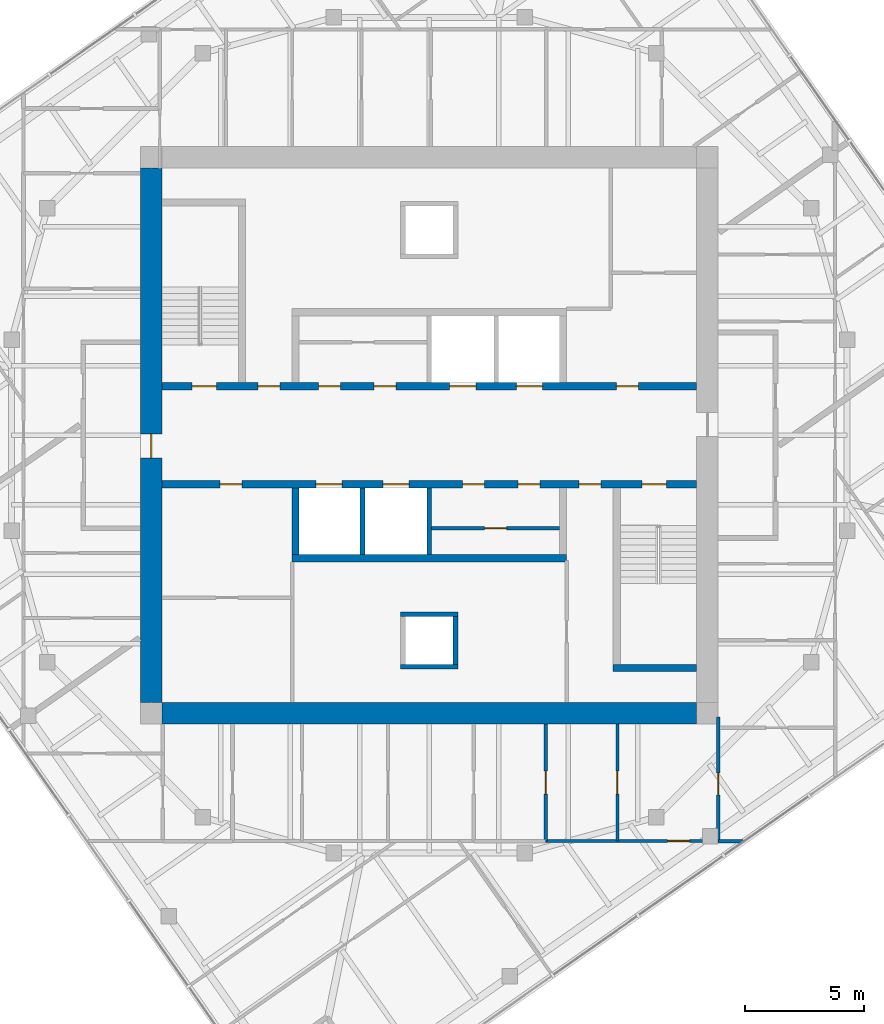
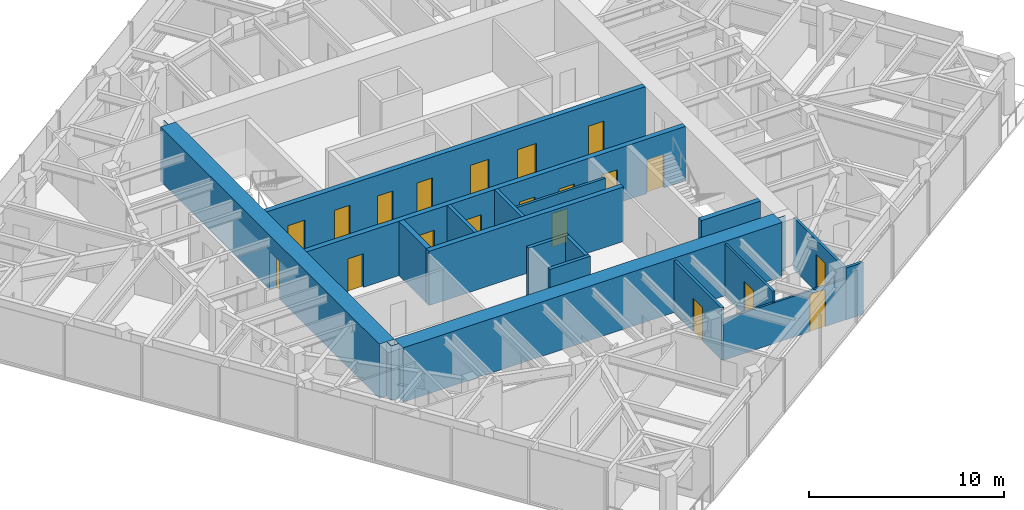
# One storey, part 8 of 12: 20 doors, 18 walls, 20 openings.
"""IFC4 building model written with IfcOpenShell, lengths in metres."""

from ifc_helpers import new_model, si_unit, direction, frame, frame_2d, origin, place, context, subcontext, project, spatial, polyline, rectangle, outline, extrude, material, layer, layer_set, type_object, element, fill, save


model = new_model("IFC4")

# Units and contexts
model_context = context("Model", 3, precision=1e-05, world=origin(), true_north=direction((0.0, 1.0)))
body_context = subcontext(model_context, "Body", "Model", "MODEL_VIEW")
ifc_project = project(units=[si_unit("LENGTHUNIT", "METRE"), si_unit("AREAUNIT", "SQUARE_METRE"), si_unit("VOLUMEUNIT", "CUBIC_METRE"), si_unit("PLANEANGLEUNIT", "RADIAN"), si_unit("MASSUNIT", "GRAM", prefix="KILO")], contexts=[model_context])

# Site, building, storey
site_placement = place(None, origin())
site = spatial("IfcSite", under=ifc_project, at=site_placement, CompositionType="ELEMENT")
building_placement = place(site_placement, origin())
building = spatial("IfcBuilding", under=site, at=building_placement, Name="Torsade Residences", CompositionType="ELEMENT")
storey_placement = place(building_placement, frame((0.0, 0.0, 240.39990234375)))
storey = spatial("IfcBuildingStorey", under=building, at=storey_placement, Name="L66", CompositionType="ELEMENT", Elevation=240.39990234375)

# Wall, openings, doors
ifc_material_1 = material(Name="Concrete 80 MPa", Category="concrete")
ifc_layer_1 = layer(ifc_material_1, 0.300048828125)
ifc_layer_set_1 = layer_set([ifc_layer_1], Name="Concrete 80 MPa")
wall_type_1 = type_object("IfcWallType", Name="CORE INTERNAL WALL 300", PredefinedType="SHEAR", material=ifc_layer_set_1)
wall_1_placement = place(storey_placement, frame((28.800048828125, 32.050048828125, 0.0), z_axis=(0.0, 0.0, 1.0), x_axis=(1.0, 0.0, 0.0)))
wall_1 = element("IfcWall", 1, at=wall_1_placement, inside=storey, type_object=wall_type_1, Name="Core wall LN L66", PredefinedType="SHEAR", context=body_context, shape_type="SweptSolid", body=[
    extrude(rectangle(XDim=22.39990234375, YDim=0.300048828125, at=frame_2d((11.199951171875, 0.0))), origin(), (0.0, 0.0, 1.0), 3.400146484375),
])
opening_1_placement = place(wall_1_placement, frame((19.0400390625, 0.0, 0.0)))
opening_1 = element("IfcOpeningElement", 2, at=opening_1_placement, cuts=wall_1, Name="Opening D06", PredefinedType="OPENING", context=body_context, shape_type="SweptSolid", body=[
    extrude(rectangle(XDim=0.919921875, YDim=2.10009765625, at=frame_2d((0.4599609375, 1.050048828125))), frame((0.0, 0.159912109375, 0.0), z_axis=(0.0, -1.0, 0.0), x_axis=(1.0, 0.0, 0.0)), (0.0, 0.0, 1.0), 0.320068359375),
])
opening_2_placement = place(wall_1_placement, frame((1.264892578125, 0.0, 0.0)))
opening_2 = element("IfcOpeningElement", 3, at=opening_2_placement, cuts=wall_1, Name="Opening D03", PredefinedType="OPENING", context=body_context, shape_type="SweptSolid", body=[
    extrude(rectangle(XDim=1.02001953125, YDim=2.10009765625, at=frame_2d((0.510009765625, 1.050048828125))), frame((0.0, 0.159912109375, 0.0), z_axis=(0.0, -1.0, 0.0), x_axis=(1.0, 0.0, 0.0)), (0.0, 0.0, 1.0), 0.320068359375),
])
opening_3_placement = place(wall_1_placement, frame((4.014892578125, 0.0, 0.0)))
opening_3 = element("IfcOpeningElement", 4, at=opening_3_placement, cuts=wall_1, Name="Opening D06", PredefinedType="OPENING", context=body_context, shape_type="SweptSolid", body=[
    extrude(rectangle(XDim=0.919921875, YDim=2.10009765625, at=frame_2d((0.4599609375, 1.050048828125))), frame((0.0, 0.159912109375, 0.0), z_axis=(0.0, -1.0, 0.0), x_axis=(1.0, 0.0, 0.0)), (0.0, 0.0, 1.0), 0.320068359375),
])
opening_4_placement = place(wall_1_placement, frame((6.56494140625, 0.0, 0.0)))
opening_4 = element("IfcOpeningElement", 5, at=opening_4_placement, cuts=wall_1, Name="Opening D06", PredefinedType="OPENING", context=body_context, shape_type="SweptSolid", body=[
    extrude(rectangle(XDim=0.919921875, YDim=2.10009765625, at=frame_2d((0.4599609375, 1.050048828125))), frame((0.0, 0.159912109375, 0.0), z_axis=(0.0, -1.0, 0.0), x_axis=(1.0, 0.0, 0.0)), (0.0, 0.0, 1.0), 0.320068359375),
])
opening_5_placement = place(wall_1_placement, frame((8.889892578125, 0.0, 0.0)))
opening_5 = element("IfcOpeningElement", 6, at=opening_5_placement, cuts=wall_1, Name="Opening D06", PredefinedType="OPENING", context=body_context, shape_type="SweptSolid", body=[
    extrude(rectangle(XDim=0.919921875, YDim=2.10009765625, at=frame_2d((0.4599609375, 1.050048828125))), frame((0.0, 0.159912109375, 0.0), z_axis=(0.0, -1.0, 0.0), x_axis=(1.0, 0.0, 0.0)), (0.0, 0.0, 1.0), 0.320068359375),
])
opening_6_placement = place(wall_1_placement, frame((12.050048828125, 0.0, 0.0)))
opening_6 = element("IfcOpeningElement", 7, at=opening_6_placement, cuts=wall_1, Name="Opening LD", PredefinedType="OPENING", context=body_context, shape_type="SweptSolid", body=[
    extrude(rectangle(XDim=1.10009765625, YDim=2.10009765625, at=frame_2d((0.550048828125, 1.050048828125))), frame((0.0, 0.159912109375, 0.0), z_axis=(0.0, -1.0, 0.0), x_axis=(1.0, 0.0, 0.0)), (0.0, 0.0, 1.0), 0.320068359375),
])
opening_7_placement = place(wall_1_placement, frame((14.85009765625, 0.0, 0.0)))
opening_7 = element("IfcOpeningElement", 8, at=opening_7_placement, cuts=wall_1, Name="Opening LD", PredefinedType="OPENING", context=body_context, shape_type="SweptSolid", body=[
    extrude(rectangle(XDim=1.10009765625, YDim=2.10009765625, at=frame_2d((0.550048828125, 1.050048828125))), frame((0.0, 0.159912109375, 0.0), z_axis=(0.0, -1.0, 0.0), x_axis=(1.0, 0.0, 0.0)), (0.0, 0.0, 1.0), 0.320068359375),
])
ifc_material_2 = material(Name="Steel-framed fire door", Category="steel")
door_type_1 = type_object("IfcDoorType", Name="FIRE DOOR 1020", OperationType="NOTDEFINED", PredefinedType="DOOR", material=ifc_material_2)
door_1_placement = place(opening_2_placement, origin())
door_1 = element("IfcDoor", 9, at=door_1_placement, inside=storey, type_object=door_type_1, Name="Exit door to fire-isolated stair ST1 L66", OperationType="SINGLE_SWING_RIGHT", OverallHeight=2.10009765625, OverallWidth=1.02001953125, PredefinedType="DOOR", context=body_context, shape_type="SweptSolid", body=[
    extrude(rectangle(XDim=1.02001953125, YDim=2.10009765625, at=frame_2d((0.510009765625, 1.050048828125))), frame((0.0, 0.02490234375, 0.0), z_axis=(0.0, -1.0, 0.0), x_axis=(1.0, 0.0, 0.0)), (0.0, 0.0, 1.0), 0.050048828125),
])
fill(opening_2, door_1)
ifc_material_3 = material(Name="Steel-framed fire door", Category="steel")
door_type_2 = type_object("IfcDoorType", Name="FIRE DOOR 920", OperationType="NOTDEFINED", PredefinedType="DOOR", material=ifc_material_3)
door_2_placement = place(opening_1_placement, origin())
door_2 = element("IfcDoor", 10, at=door_2_placement, inside=storey, type_object=door_type_2, Name="Door Lift lobby to Refuse room", OperationType="SINGLE_SWING_LEFT", OverallHeight=2.10009765625, OverallWidth=0.919921875, PredefinedType="DOOR", context=body_context, shape_type="SweptSolid", body=[
    extrude(rectangle(XDim=0.919921875, YDim=2.10009765625, at=frame_2d((0.4599609375, 1.050048828125))), frame((0.0, 0.02490234375, 0.0), z_axis=(0.0, -1.0, 0.0), x_axis=(1.0, 0.0, 0.0)), (0.0, 0.0, 1.0), 0.050048828125),
])
fill(opening_1, door_2)
door_3_placement = place(opening_3_placement, origin())
door_3 = element("IfcDoor", 11, at=door_3_placement, inside=storey, type_object=door_type_2, Name="Door Lift lobby to Electrical riser room", OperationType="SINGLE_SWING_LEFT", OverallHeight=2.10009765625, OverallWidth=0.919921875, PredefinedType="DOOR", context=body_context, shape_type="SweptSolid", body=[
    extrude(rectangle(XDim=0.919921875, YDim=2.10009765625, at=frame_2d((0.4599609375, 1.050048828125))), frame((0.0, 0.02490234375, 0.0), z_axis=(0.0, -1.0, 0.0), x_axis=(1.0, 0.0, 0.0)), (0.0, 0.0, 1.0), 0.050048828125),
])
fill(opening_3, door_3)
door_4_placement = place(opening_4_placement, origin())
door_4 = element("IfcDoor", 12, at=door_4_placement, inside=storey, type_object=door_type_2, Name="Door Lift lobby to IT equipment room L66A", OperationType="SINGLE_SWING_LEFT", OverallHeight=2.10009765625, OverallWidth=0.919921875, PredefinedType="DOOR", context=body_context, shape_type="SweptSolid", body=[
    extrude(rectangle(XDim=0.919921875, YDim=2.10009765625, at=frame_2d((0.4599609375, 1.050048828125))), frame((0.0, 0.02490234375, 0.0), z_axis=(0.0, -1.0, 0.0), x_axis=(1.0, 0.0, 0.0)), (0.0, 0.0, 1.0), 0.050048828125),
])
fill(opening_4, door_4)
door_5_placement = place(opening_5_placement, origin())
door_5 = element("IfcDoor", 13, at=door_5_placement, inside=storey, type_object=door_type_2, Name="Door Lift lobby to IT equipment room L66A", OperationType="SINGLE_SWING_LEFT", OverallHeight=2.10009765625, OverallWidth=0.919921875, PredefinedType="DOOR", context=body_context, shape_type="SweptSolid", body=[
    extrude(rectangle(XDim=0.919921875, YDim=2.10009765625, at=frame_2d((0.4599609375, 1.050048828125))), frame((0.0, 0.02490234375, 0.0), z_axis=(0.0, -1.0, 0.0), x_axis=(1.0, 0.0, 0.0)), (0.0, 0.0, 1.0), 0.050048828125),
])
fill(opening_5, door_5)
ifc_material_4 = material(Name="Stainless steel lift landing door", Category="steel")
door_type_3 = type_object("IfcDoorType", Name="LIFT LANDING DOOR 1100", OperationType="SLIDING_TO_LEFT", PredefinedType="DOOR", material=ifc_material_4)
door_6_placement = place(opening_6_placement, origin())
door_6 = element("IfcDoor", 14, at=door_6_placement, inside=storey, type_object=door_type_3, Name="Lift LA3 landing door L66", OperationType="SLIDING_TO_LEFT", OverallHeight=2.10009765625, OverallWidth=1.10009765625, PredefinedType="DOOR", context=body_context, shape_type="SweptSolid", body=[
    extrude(rectangle(XDim=1.10009765625, YDim=2.10009765625, at=frame_2d((0.550048828125, 1.050048828125))), frame((0.0, 0.02490234375, 0.0), z_axis=(0.0, -1.0, 0.0), x_axis=(1.0, 0.0, 0.0)), (0.0, 0.0, 1.0), 0.050048828125),
])
fill(opening_6, door_6)
door_7_placement = place(opening_7_placement, origin())
door_7 = element("IfcDoor", 15, at=door_7_placement, inside=storey, type_object=door_type_3, Name="Lift FL1 landing door L66", OperationType="SLIDING_TO_LEFT", OverallHeight=2.10009765625, OverallWidth=1.10009765625, PredefinedType="DOOR", context=body_context, shape_type="SweptSolid", body=[
    extrude(rectangle(XDim=1.10009765625, YDim=2.10009765625, at=frame_2d((0.550048828125, 1.050048828125))), frame((0.0, 0.02490234375, 0.0), z_axis=(0.0, -1.0, 0.0), x_axis=(1.0, 0.0, 0.0)), (0.0, 0.0, 1.0), 0.050048828125),
])
fill(opening_7, door_7)

wall_2_placement = place(storey_placement, frame((51.199951171875, 27.949951171875, 0.0), z_axis=(0.0, 0.0, 1.0), x_axis=(-1.0, 0.0, 0.0)))
wall_2 = element("IfcWall", 16, at=wall_2_placement, inside=storey, type_object=wall_type_1, Name="Core wall LS L66", PredefinedType="SHEAR", context=body_context, shape_type="SweptSolid", body=[
    extrude(rectangle(XDim=22.39990234375, YDim=0.300048828125, at=frame_2d((11.199951171875, 0.0))), origin(), (0.0, 0.0, 1.0), 3.400146484375),
])
opening_8_placement = place(wall_2_placement, frame((19.0400390625, 0.0, 0.0)))
opening_8 = element("IfcOpeningElement", 17, at=opening_8_placement, cuts=wall_2, Name="Opening D06", PredefinedType="OPENING", context=body_context, shape_type="SweptSolid", body=[
    extrude(rectangle(XDim=0.919921875, YDim=2.10009765625, at=frame_2d((0.4599609375, 1.050048828125))), frame((0.0, 0.159912109375, 0.0), z_axis=(0.0, -1.0, 0.0), x_axis=(1.0, 0.0, 0.0)), (0.0, 0.0, 1.0), 0.320068359375),
])
opening_9_placement = place(wall_2_placement, frame((1.264892578125, 0.0, 0.0)))
opening_9 = element("IfcOpeningElement", 18, at=opening_9_placement, cuts=wall_2, Name="Opening D03", PredefinedType="OPENING", context=body_context, shape_type="SweptSolid", body=[
    extrude(rectangle(XDim=1.02001953125, YDim=2.10009765625, at=frame_2d((0.510009765625, 1.050048828125))), frame((0.0, 0.159912109375, 0.0), z_axis=(0.0, -1.0, 0.0), x_axis=(1.0, 0.0, 0.0)), (0.0, 0.0, 1.0), 0.320068359375),
])
opening_10_placement = place(wall_2_placement, frame((4.014892578125, 0.0, 0.0)))
opening_10 = element("IfcOpeningElement", 19, at=opening_10_placement, cuts=wall_2, Name="Opening D06", PredefinedType="OPENING", context=body_context, shape_type="SweptSolid", body=[
    extrude(rectangle(XDim=0.919921875, YDim=2.10009765625, at=frame_2d((0.4599609375, 1.050048828125))), frame((0.0, 0.159912109375, 0.0), z_axis=(0.0, -1.0, 0.0), x_axis=(1.0, 0.0, 0.0)), (0.0, 0.0, 1.0), 0.320068359375),
])
opening_11_placement = place(wall_2_placement, frame((8.889892578125, 0.0, 0.0)))
opening_11 = element("IfcOpeningElement", 20, at=opening_11_placement, cuts=wall_2, Name="Opening D06", PredefinedType="OPENING", context=body_context, shape_type="SweptSolid", body=[
    extrude(rectangle(XDim=0.919921875, YDim=2.10009765625, at=frame_2d((0.4599609375, 1.050048828125))), frame((0.0, 0.159912109375, 0.0), z_axis=(0.0, -1.0, 0.0), x_axis=(1.0, 0.0, 0.0)), (0.0, 0.0, 1.0), 0.320068359375),
])
opening_12_placement = place(wall_2_placement, frame((6.56494140625, 0.0, 0.0)))
opening_12 = element("IfcOpeningElement", 21, at=opening_12_placement, cuts=wall_2, Name="Opening D06", PredefinedType="OPENING", context=body_context, shape_type="SweptSolid", body=[
    extrude(rectangle(XDim=0.919921875, YDim=2.10009765625, at=frame_2d((0.4599609375, 1.050048828125))), frame((0.0, 0.159912109375, 0.0), z_axis=(0.0, -1.0, 0.0), x_axis=(1.0, 0.0, 0.0)), (0.0, 0.0, 1.0), 0.320068359375),
])
opening_13_placement = place(wall_2_placement, frame((12.050048828125, 0.0, 0.0)))
opening_13 = element("IfcOpeningElement", 22, at=opening_13_placement, cuts=wall_2, Name="Opening LD", PredefinedType="OPENING", context=body_context, shape_type="SweptSolid", body=[
    extrude(rectangle(XDim=1.10009765625, YDim=2.10009765625, at=frame_2d((0.550048828125, 1.050048828125))), frame((0.0, 0.159912109375, 0.0), z_axis=(0.0, -1.0, 0.0), x_axis=(1.0, 0.0, 0.0)), (0.0, 0.0, 1.0), 0.320068359375),
])
opening_14_placement = place(wall_2_placement, frame((14.85009765625, 0.0, 0.0)))
opening_14 = element("IfcOpeningElement", 23, at=opening_14_placement, cuts=wall_2, Name="Opening LD", PredefinedType="OPENING", context=body_context, shape_type="SweptSolid", body=[
    extrude(rectangle(XDim=1.10009765625, YDim=2.10009765625, at=frame_2d((0.550048828125, 1.050048828125))), frame((0.0, 0.159912109375, 0.0), z_axis=(0.0, -1.0, 0.0), x_axis=(1.0, 0.0, 0.0)), (0.0, 0.0, 1.0), 0.320068359375),
])
door_8_placement = place(opening_9_placement, origin())
door_8 = element("IfcDoor", 24, at=door_8_placement, inside=storey, type_object=door_type_1, Name="Exit door to fire-isolated stair ST2 L66", OperationType="SINGLE_SWING_RIGHT", OverallHeight=2.10009765625, OverallWidth=1.02001953125, PredefinedType="DOOR", context=body_context, shape_type="SweptSolid", body=[
    extrude(rectangle(XDim=1.02001953125, YDim=2.10009765625, at=frame_2d((0.510009765625, 1.050048828125))), frame((0.0, 0.02490234375, 0.0), z_axis=(0.0, -1.0, 0.0), x_axis=(1.0, 0.0, 0.0)), (0.0, 0.0, 1.0), 0.050048828125),
])
fill(opening_9, door_8)
door_9_placement = place(opening_8_placement, origin())
door_9 = element("IfcDoor", 25, at=door_9_placement, inside=storey, type_object=door_type_2, Name="Door Lift lobby to Cleaner store", OperationType="SINGLE_SWING_LEFT", OverallHeight=2.10009765625, OverallWidth=0.919921875, PredefinedType="DOOR", context=body_context, shape_type="SweptSolid", body=[
    extrude(rectangle(XDim=0.919921875, YDim=2.10009765625, at=frame_2d((0.4599609375, 1.050048828125))), frame((0.0, 0.02490234375, 0.0), z_axis=(0.0, -1.0, 0.0), x_axis=(1.0, 0.0, 0.0)), (0.0, 0.0, 1.0), 0.050048828125),
])
fill(opening_8, door_9)
door_10_placement = place(opening_10_placement, origin())
door_10 = element("IfcDoor", 26, at=door_10_placement, inside=storey, type_object=door_type_2, Name="Door Lift lobby to Security and data store", OperationType="SINGLE_SWING_RIGHT", OverallHeight=2.10009765625, OverallWidth=0.919921875, PredefinedType="DOOR", context=body_context, shape_type="SweptSolid", body=[
    extrude(rectangle(XDim=0.919921875, YDim=2.10009765625, at=frame_2d((0.4599609375, 1.050048828125))), frame((0.0, 0.02490234375, 0.0), z_axis=(0.0, -1.0, 0.0), x_axis=(1.0, 0.0, 0.0)), (0.0, 0.0, 1.0), 0.050048828125),
])
fill(opening_10, door_10)
door_11_placement = place(opening_11_placement, origin())
door_11 = element("IfcDoor", 27, at=door_11_placement, inside=storey, type_object=door_type_2, Name="Door Lift lobby to Building manager store L66C", OperationType="SINGLE_SWING_LEFT", OverallHeight=2.10009765625, OverallWidth=0.919921875, PredefinedType="DOOR", context=body_context, shape_type="SweptSolid", body=[
    extrude(rectangle(XDim=0.919921875, YDim=2.10009765625, at=frame_2d((0.4599609375, 1.050048828125))), frame((0.0, 0.02490234375, 0.0), z_axis=(0.0, -1.0, 0.0), x_axis=(1.0, 0.0, 0.0)), (0.0, 0.0, 1.0), 0.050048828125),
])
fill(opening_11, door_11)
door_12_placement = place(opening_12_placement, origin())
door_12 = element("IfcDoor", 28, at=door_12_placement, inside=storey, type_object=door_type_2, Name="Door Lift lobby to Building manager store L66C", OperationType="SINGLE_SWING_LEFT", OverallHeight=2.10009765625, OverallWidth=0.919921875, PredefinedType="DOOR", context=body_context, shape_type="SweptSolid", body=[
    extrude(rectangle(XDim=0.919921875, YDim=2.10009765625, at=frame_2d((0.4599609375, 1.050048828125))), frame((0.0, 0.02490234375, 0.0), z_axis=(0.0, -1.0, 0.0), x_axis=(1.0, 0.0, 0.0)), (0.0, 0.0, 1.0), 0.050048828125),
])
fill(opening_12, door_12)
door_13_placement = place(opening_13_placement, origin())
door_13 = element("IfcDoor", 29, at=door_13_placement, inside=storey, type_object=door_type_3, Name="Lift LB3 landing door L66", OperationType="SLIDING_TO_LEFT", OverallHeight=2.10009765625, OverallWidth=1.10009765625, PredefinedType="DOOR", context=body_context, shape_type="SweptSolid", body=[
    extrude(rectangle(XDim=1.10009765625, YDim=2.10009765625, at=frame_2d((0.550048828125, 1.050048828125))), frame((0.0, 0.02490234375, 0.0), z_axis=(0.0, -1.0, 0.0), x_axis=(1.0, 0.0, 0.0)), (0.0, 0.0, 1.0), 0.050048828125),
])
fill(opening_13, door_13)
door_14_placement = place(opening_14_placement, origin())
door_14 = element("IfcDoor", 30, at=door_14_placement, inside=storey, type_object=door_type_3, Name="Lift FL2 landing door L66", OperationType="SLIDING_TO_LEFT", OverallHeight=2.10009765625, OverallWidth=1.10009765625, PredefinedType="DOOR", context=body_context, shape_type="SweptSolid", body=[
    extrude(rectangle(XDim=1.10009765625, YDim=2.10009765625, at=frame_2d((0.550048828125, 1.050048828125))), frame((0.0, 0.02490234375, 0.0), z_axis=(0.0, -1.0, 0.0), x_axis=(1.0, 0.0, 0.0)), (0.0, 0.0, 1.0), 0.050048828125),
])
fill(opening_14, door_14)

# Walls
wall_3_placement = place(storey_placement, frame((45.75, 24.85009765625, 0.0), z_axis=(0.0, 0.0, 1.0), x_axis=(-1.0, 0.0, 0.0)))
element("IfcWall", 31, at=wall_3_placement, inside=storey, type_object=wall_type_1, Name="Core wall BS L66", PredefinedType="SHEAR", context=body_context, shape_type="SweptSolid", body=[
    extrude(rectangle(XDim=11.5, YDim=0.300048828125, at=frame_2d((5.75, 0.0))), origin(), (0.0, 0.0, 1.0), 3.400146484375),
])
wall_4_placement = place(storey_placement, frame((34.39990234375, 27.800048828125, 0.0), z_axis=(0.0, 0.0, 1.0), x_axis=(0.0, -1.0, 0.0)))
element("IfcWall", 32, at=wall_4_placement, inside=storey, type_object=wall_type_1, Name="Core wall DS4 L66", PredefinedType="SHEAR", context=body_context, shape_type="SweptSolid", body=[
    extrude(rectangle(XDim=2.800048828125, YDim=0.300048828125, at=frame_2d((1.39990234375, 0.0))), origin(), (0.0, 0.0, 1.0), 3.400146484375),
])
wall_5_placement = place(storey_placement, frame((51.199951171875, 20.25, 0.0), z_axis=(0.0, 0.0, 1.0), x_axis=(-1.0, 0.0, 0.0)))
element("IfcWall", 33, at=wall_5_placement, inside=storey, type_object=wall_type_1, Name="Core wall ST2S L66", PredefinedType="SHEAR", context=body_context, shape_type="SweptSolid", body=[
    extrude(rectangle(XDim=3.5, YDim=0.300048828125, at=frame_2d((1.75, 0.0))), origin(), (0.0, 0.0, 1.0), 3.400146484375),
])
ifc_material_5 = material(Name="Concrete 80 MPa", Category="concrete")
ifc_layer_2 = layer(ifc_material_5, 0.89990234375)
ifc_layer_set_2 = layer_set([ifc_layer_2], Name="Concrete 80 MPa")
wall_type_2 = type_object("IfcWallType", Name="CORE WALL 900", PredefinedType="SHEAR", material=ifc_layer_set_2)
wall_6_placement = place(storey_placement, frame((51.199951171875, 18.35009765625, 0.0), z_axis=(0.0, 0.0, 1.0), x_axis=(-1.0, 0.0, 0.0)))
element("IfcWall", 34, at=wall_6_placement, inside=storey, type_object=wall_type_2, Name="Core wall S L66", PredefinedType="SHEAR", context=body_context, shape_type="SweptSolid", body=[
    extrude(outline(polyline([(0.0, -0.449951171875), (22.39990234375, -0.449951171875), (22.39990234375, -0.02490234375), (22.849853515625, -0.02490234375), (22.849853515625, 0.02490234375), (22.39990234375, 0.02490234375), (22.39990234375, 0.449951171875), (0.0, 0.449951171875), (0.0, 0.02490234375), (-0.449951171875, 0.02490234375), (-0.449951171875, -0.02490234375), (0.0, -0.02490234375), (0.0, -0.449951171875)])), origin(), (0.0, 0.0, 1.0), 3.400146484375),
])

# Wall, opening, door
wall_7_placement = place(storey_placement, frame((28.35009765625, 41.199951171875, 0.0), z_axis=(0.0, 0.0, 1.0), x_axis=(0.0, -1.0, 0.0)))
wall_7 = element("IfcWall", 35, at=wall_7_placement, inside=storey, type_object=wall_type_2, Name="Core wall W L66", PredefinedType="SHEAR", context=body_context, shape_type="SweptSolid", body=[
    extrude(outline(polyline([(0.0, -0.449951171875), (22.39990234375, -0.449951171875), (22.39990234375, -0.02490234375), (22.849853515625, -0.02490234375), (22.849853515625, 0.02490234375), (22.39990234375, 0.02490234375), (22.39990234375, 0.449951171875), (0.0, 0.449951171875), (0.0, 0.02490234375), (-0.449951171875, 0.02490234375), (-0.449951171875, -0.02490234375), (0.0, -0.02490234375), (0.0, -0.449951171875)])), origin(), (0.0, 0.0, 1.0), 3.400146484375),
])
opening_15_placement = place(wall_7_placement, frame((11.139892578125, 0.0, 0.0)))
opening_15 = element("IfcOpeningElement", 36, at=opening_15_placement, cuts=wall_7, Name="Opening D04", PredefinedType="OPENING", context=body_context, shape_type="SweptSolid", body=[
    extrude(rectangle(XDim=1.02001953125, YDim=2.39990234375, at=frame_2d((0.510009765625, 1.199951171875))), frame((0.0, 0.4599609375, 0.0), z_axis=(0.0, -1.0, 0.0), x_axis=(1.0, 0.0, 0.0)), (0.0, 0.0, 1.0), 0.919921875),
])
ifc_material_6 = material(Name="Steel-framed fire door", Category="steel")
door_type_4 = type_object("IfcDoorType", Name="LOBBY SMOKE DOOR 1020x2400", OperationType="NOTDEFINED", PredefinedType="DOOR", material=ifc_material_6)
door_15_placement = place(opening_15_placement, origin())
door_15 = element("IfcDoor", 37, at=door_15_placement, inside=storey, type_object=door_type_4, Name="Lift lobby door W L66", OperationType="SINGLE_SWING_RIGHT", OverallHeight=2.39990234375, OverallWidth=1.02001953125, PredefinedType="DOOR", context=body_context, shape_type="SweptSolid", body=[
    extrude(rectangle(XDim=1.02001953125, YDim=2.39990234375, at=frame_2d((0.510009765625, 1.199951171875))), frame((0.0, 0.02490234375, 0.0), z_axis=(0.0, -1.0, 0.0), x_axis=(1.0, 0.0, 0.0)), (0.0, 0.0, 1.0), 0.050048828125),
])
fill(opening_15, door_15)

# Walls
ifc_material_7 = material(Name="Reinforced blockwork", Category="masonry")
ifc_layer_3 = layer(ifc_material_7, 0.199951171875)
ifc_layer_set_3 = layer_set([ifc_layer_3], Name="Reinforced blockwork")
wall_type_3 = type_object("IfcWallType", Name="LIFT SHAFT DIVIDING WALL 200", PredefinedType="SOLIDWALL", material=ifc_layer_set_3)
for number, where, z_axis, x_axis, name in (
    (38, (40.0, 27.800048828125, 0.0), (0.0, 0.0, 1.0), (0.0, -1.0, 0.0), "Core wall DS2 L66"),
    (39, (37.199951171875, 27.800048828125, 0.0), (0.0, 0.0, 1.0), (0.0, -1.0, 0.0), "Core wall DS3 L66"),
):
    element("IfcWall", number, at=place(storey_placement, frame(where, z_axis=z_axis, x_axis=x_axis)), inside=storey, type_object=wall_type_3, Name=name, PredefinedType="SOLIDWALL", context=body_context, shape_type="SweptSolid", body=[
        extrude(rectangle(XDim=2.800048828125, YDim=0.199951171875, at=frame_2d((1.39990234375, 0.0))), origin(), (0.0, 0.0, 1.0), 3.400146484375),
    ])

# Wall, opening, door
ifc_material_8 = material(Name="Plasterboard on steel stud", Category="steel")
ifc_layer_4 = layer(ifc_material_8, 0.1201171875)
ifc_layer_set_4 = layer_set([ifc_layer_4], Name="Plasterboard on steel stud")
wall_type_4 = type_object("IfcWallType", Name="PARTITION 120", PredefinedType="PARTITIONING", material=ifc_layer_set_4)
wall_8_placement = place(storey_placement, frame((47.87841796875, 17.89990234375, 0.0), z_axis=(0.0, 0.0, 1.0), x_axis=(0.0, -1.0, 0.0)))
wall_8 = element("IfcWall", 40, at=wall_8_placement, inside=storey, type_object=wall_type_4, Name="Partition L66", PredefinedType="PARTITIONING", context=body_context, shape_type="SweptSolid", body=[
    extrude(rectangle(XDim=4.89990234375, YDim=0.1201171875, at=frame_2d((2.449951171875, 0.0))), origin(), (0.0, 0.0, 1.0), 3.25),
])
opening_16_placement = place(wall_8_placement, frame((1.969970703125, 0.0, 0.0)))
opening_16 = element("IfcOpeningElement", 41, at=opening_16_placement, cuts=wall_8, Name="Opening D05", PredefinedType="OPENING", context=body_context, shape_type="SweptSolid", body=[
    extrude(rectangle(XDim=0.9599609375, YDim=2.10009765625, at=frame_2d((0.47998046875, 1.050048828125))), frame((0.0, 0.070068359375, 0.0), z_axis=(0.0, -1.0, 0.0), x_axis=(1.0, 0.0, 0.0)), (0.0, 0.0, 1.0), 0.14013671875),
])
ifc_material_9 = material(Name="Hollow-core timber door in a steel cavity frame", Category="steel")
door_type_5 = type_object("IfcDoorType", Name="BATHROOM CAVITY SLIDING DOOR 960", OperationType="SLIDING_TO_LEFT", PredefinedType="DOOR", material=ifc_material_9)
door_16_placement = place(opening_16_placement, origin())
door_16 = element("IfcDoor", 42, at=door_16_placement, inside=storey, type_object=door_type_5, Name="Door Study to Laundry", OperationType="SLIDING_TO_LEFT", OverallHeight=2.10009765625, OverallWidth=0.9599609375, PredefinedType="DOOR", context=body_context, shape_type="SweptSolid", body=[
    extrude(rectangle(XDim=0.9599609375, YDim=2.10009765625, at=frame_2d((0.47998046875, 1.050048828125))), frame((0.0, 0.02490234375, 0.0), z_axis=(0.0, -1.0, 0.0), x_axis=(1.0, 0.0, 0.0)), (0.0, 0.0, 1.0), 0.050048828125),
])
fill(opening_16, door_16)

wall_9_placement = place(storey_placement, frame((52.10888671875, 13.0, 0.0), z_axis=(0.0, 0.0, 1.0), x_axis=(-1.0, 0.0, 0.0)))
wall_9 = element("IfcWall", 43, at=wall_9_placement, inside=storey, type_object=wall_type_4, Name="Partition L66", PredefinedType="PARTITIONING", context=body_context, shape_type="SweptSolid", body=[
    extrude(rectangle(XDim=7.237548828125, YDim=0.1201171875, at=frame_2d((3.61865234375, 0.0))), origin(), (0.0, 0.0, 1.0), 2.550048828125),
])
opening_17_placement = place(wall_9_placement, frame((1.205078125, 0.0, 0.0)))
opening_17 = element("IfcOpeningElement", 44, at=opening_17_placement, cuts=wall_9, Name="Opening D02", PredefinedType="OPENING", context=body_context, shape_type="SweptSolid", body=[
    extrude(rectangle(XDim=0.919921875, YDim=2.340087890625, at=frame_2d((0.4599609375, 1.169921875))), frame((0.0, 0.070068359375, 0.0), z_axis=(0.0, -1.0, 0.0), x_axis=(1.0, 0.0, 0.0)), (0.0, 0.0, 1.0), 0.14013671875),
])
ifc_material_10 = material(Name="Hollow-core timber door", Category="wood")
door_type_6 = type_object("IfcDoorType", Name="INTERNAL DOOR 920x2340", OperationType="NOTDEFINED", PredefinedType="DOOR", material=ifc_material_10)
door_17_placement = place(opening_17_placement, origin())
door_17 = element("IfcDoor", 45, at=door_17_placement, inside=storey, type_object=door_type_6, Name="Door Study to Study 2", OperationType="SINGLE_SWING_LEFT", OverallHeight=2.340087890625, OverallWidth=0.919921875, PredefinedType="DOOR", context=body_context, shape_type="SweptSolid", body=[
    extrude(rectangle(XDim=0.919921875, YDim=2.340087890625, at=frame_2d((0.4599609375, 1.169921875))), frame((0.0, 0.02490234375, 0.0), z_axis=(0.0, -1.0, 0.0), x_axis=(1.0, 0.0, 0.0)), (0.0, 0.0, 1.0), 0.050048828125),
])
fill(opening_17, door_17)

# Walls
ifc_material_11 = material(Name="Reinforced blockwork", Category="masonry")
ifc_layer_5 = layer(ifc_material_11, 0.199951171875)
ifc_layer_set_5 = layer_set([ifc_layer_5], Name="Reinforced blockwork")
wall_type_5 = type_object("IfcWallType", Name="RISER SHAFT WALL 200", PredefinedType="SOLIDWALL", material=ifc_layer_set_5)
wall_10_placement = place(storey_placement, frame((41.10009765625, 22.39990234375, 0.0), z_axis=(0.0, 0.0, 1.0), x_axis=(0.0, -1.0, 0.0)))
element("IfcWall", 46, at=wall_10_placement, inside=storey, type_object=wall_type_5, Name="Core wall RS2b L66", PredefinedType="SOLIDWALL", context=body_context, shape_type="SweptSolid", body=[
    extrude(rectangle(XDim=2.0, YDim=0.199951171875, at=frame_2d((1.0, 0.0))), origin(), (0.0, 0.0, 1.0), 3.400146484375),
])
for number, where, z_axis, x_axis, name in (
    (47, (38.800048828125, 22.5, 0.0), (0.0, 0.0, 1.0), (1.0, 0.0, 0.0), "Core wall RS2c L66"),
    (48, (38.800048828125, 20.300048828125, 0.0), (0.0, 0.0, 1.0), (1.0, 0.0, 0.0), "Core wall RS2d L66"),
):
    element("IfcWall", number, at=place(storey_placement, frame(where, z_axis=z_axis, x_axis=x_axis)), inside=storey, type_object=wall_type_5, Name=name, PredefinedType="SOLIDWALL", context=body_context, shape_type="SweptSolid", body=[
        extrude(rectangle(XDim=2.39990234375, YDim=0.199951171875, at=frame_2d((1.199951171875, 0.0))), origin(), (0.0, 0.0, 1.0), 3.400146484375),
    ])

# Wall, opening, door
ifc_material_12 = material(Name="Reinforced blockwork", Category="masonry")
ifc_layer_6 = layer(ifc_material_12, 0.14990234375)
ifc_layer_set_6 = layer_set([ifc_layer_6], Name="Reinforced blockwork")
wall_type_6 = type_object("IfcWallType", Name="SERVICE ROOM WALL 150", PredefinedType="SOLIDWALL", material=ifc_layer_set_6)
wall_11_placement = place(storey_placement, frame((44.871337890625, 13.0, 0.0), z_axis=(0.0, 0.0, 1.0), x_axis=(0.0, 1.0, 0.0)))
wall_11 = element("IfcWall", 49, at=wall_11_placement, inside=storey, type_object=wall_type_6, Name="Service room wall L66", PredefinedType="SOLIDWALL", context=body_context, shape_type="SweptSolid", body=[
    extrude(rectangle(XDim=4.89990234375, YDim=0.14990234375, at=frame_2d((2.449951171875, 0.0))), origin(), (0.0, 0.0, 1.0), 3.25),
])
opening_18_placement = place(wall_11_placement, frame((1.969970703125, 0.0, 0.0)))
opening_18 = element("IfcOpeningElement", 50, at=opening_18_placement, cuts=wall_11, Name="Opening D05", PredefinedType="OPENING", context=body_context, shape_type="SweptSolid", body=[
    extrude(rectangle(XDim=0.9599609375, YDim=2.10009765625, at=frame_2d((0.47998046875, 1.050048828125))), frame((0.0, 0.0849609375, 0.0), z_axis=(0.0, -1.0, 0.0), x_axis=(1.0, 0.0, 0.0)), (0.0, 0.0, 1.0), 0.169921875),
])
door_18_placement = place(opening_18_placement, origin())
door_18 = element("IfcDoor", 51, at=door_18_placement, inside=storey, type_object=door_type_5, Name="Door Laundry to Linen store 2", OperationType="SLIDING_TO_LEFT", OverallHeight=2.10009765625, OverallWidth=0.9599609375, PredefinedType="DOOR", context=body_context, shape_type="SweptSolid", body=[
    extrude(rectangle(XDim=0.9599609375, YDim=2.10009765625, at=frame_2d((0.47998046875, 1.050048828125))), frame((0.0, 0.02490234375, 0.0), z_axis=(0.0, -1.0, 0.0), x_axis=(1.0, 0.0, 0.0)), (0.0, 0.0, 1.0), 0.050048828125),
])
fill(opening_18, door_18)

wall_12_placement = place(storey_placement, frame((52.10888671875, 18.193603515625, 0.0), z_axis=(0.0, 0.0, 1.0), x_axis=(0.0, -1.0, 0.0)))
wall_12 = element("IfcWall", 52, at=wall_12_placement, inside=storey, type_object=wall_type_6, Name="Service room wall L66", PredefinedType="SOLIDWALL", context=body_context, shape_type="SweptSolid", body=[
    extrude(rectangle(XDim=5.193603515625, YDim=0.14990234375, at=frame_2d((2.5966796875, 0.0))), origin(), (0.0, 0.0, 1.0), 3.25),
])
opening_19_placement = place(wall_12_placement, frame((2.336669921875, 0.0, 0.0)))
opening_19 = element("IfcOpeningElement", 53, at=opening_19_placement, cuts=wall_12, Name="Opening D02", PredefinedType="OPENING", context=body_context, shape_type="SweptSolid", body=[
    extrude(rectangle(XDim=0.919921875, YDim=2.340087890625, at=frame_2d((0.4599609375, 1.169921875))), frame((0.0, 0.0849609375, 0.0), z_axis=(0.0, -1.0, 0.0), x_axis=(1.0, 0.0, 0.0)), (0.0, 0.0, 1.0), 0.169921875),
])
door_19_placement = place(opening_19_placement, origin())
door_19 = element("IfcDoor", 54, at=door_19_placement, inside=storey, type_object=door_type_6, Name="Door Linen store 3 to Study", OperationType="SINGLE_SWING_LEFT", OverallHeight=2.340087890625, OverallWidth=0.919921875, PredefinedType="DOOR", context=body_context, shape_type="SweptSolid", body=[
    extrude(rectangle(XDim=0.919921875, YDim=2.340087890625, at=frame_2d((0.4599609375, 1.169921875))), frame((0.0, 0.02490234375, 0.0), z_axis=(0.0, -1.0, 0.0), x_axis=(1.0, 0.0, 0.0)), (0.0, 0.0, 1.0), 0.050048828125),
])
fill(opening_19, door_19)

# Wall
wall_13_placement = place(storey_placement, frame((53.1357421875, 13.0, 0.0), z_axis=(0.0, 0.0, 1.0), x_axis=(-1.0, 0.0, 0.0)))
element("IfcWall", 55, at=wall_13_placement, inside=storey, type_object=wall_type_6, Name="Service room wall L66", PredefinedType="SOLIDWALL", context=body_context, shape_type="SweptSolid", body=[
    extrude(rectangle(XDim=1.02685546875, YDim=0.14990234375, at=frame_2d((0.513427734375, 0.0))), origin(), (0.0, 0.0, 1.0), 3.25),
])

# Wall, opening, door
wall_14_placement = place(storey_placement, frame((40.10009765625, 26.10009765625, 0.0), z_axis=(0.0, 0.0, 1.0), x_axis=(1.0, 0.0, 0.0)))
wall_14 = element("IfcWall", 56, at=wall_14_placement, inside=storey, type_object=wall_type_6, Name="Service room wall L66", PredefinedType="SOLIDWALL", context=body_context, shape_type="SweptSolid", body=[
    extrude(rectangle(XDim=5.349853515625, YDim=0.14990234375, at=frame_2d((2.6748046875, 0.0))), origin(), (0.0, 0.0, 1.0), 3.25),
])
opening_20_placement = place(wall_14_placement, frame((2.215087890625, 0.0, 0.0)))
opening_20 = element("IfcOpeningElement", 57, at=opening_20_placement, cuts=wall_14, Name="Opening D06", PredefinedType="OPENING", context=body_context, shape_type="SweptSolid", body=[
    extrude(rectangle(XDim=0.919921875, YDim=2.10009765625, at=frame_2d((0.4599609375, 1.050048828125))), frame((0.0, 0.0849609375, 0.0), z_axis=(0.0, -1.0, 0.0), x_axis=(1.0, 0.0, 0.0)), (0.0, 0.0, 1.0), 0.169921875),
])
door_20_placement = place(opening_20_placement, origin())
door_20 = element("IfcDoor", 58, at=door_20_placement, inside=storey, type_object=door_type_2, Name="Door Building manager store L66C to Equipment store L66D", OperationType="SINGLE_SWING_LEFT", OverallHeight=2.10009765625, OverallWidth=0.919921875, PredefinedType="DOOR", context=body_context, shape_type="SweptSolid", body=[
    extrude(rectangle(XDim=0.919921875, YDim=2.10009765625, at=frame_2d((0.4599609375, 1.050048828125))), frame((0.0, 0.02490234375, 0.0), z_axis=(0.0, -1.0, 0.0), x_axis=(1.0, 0.0, 0.0)), (0.0, 0.0, 1.0), 0.050048828125),
])
fill(opening_20, door_20)

save(model, "model.ifc")
